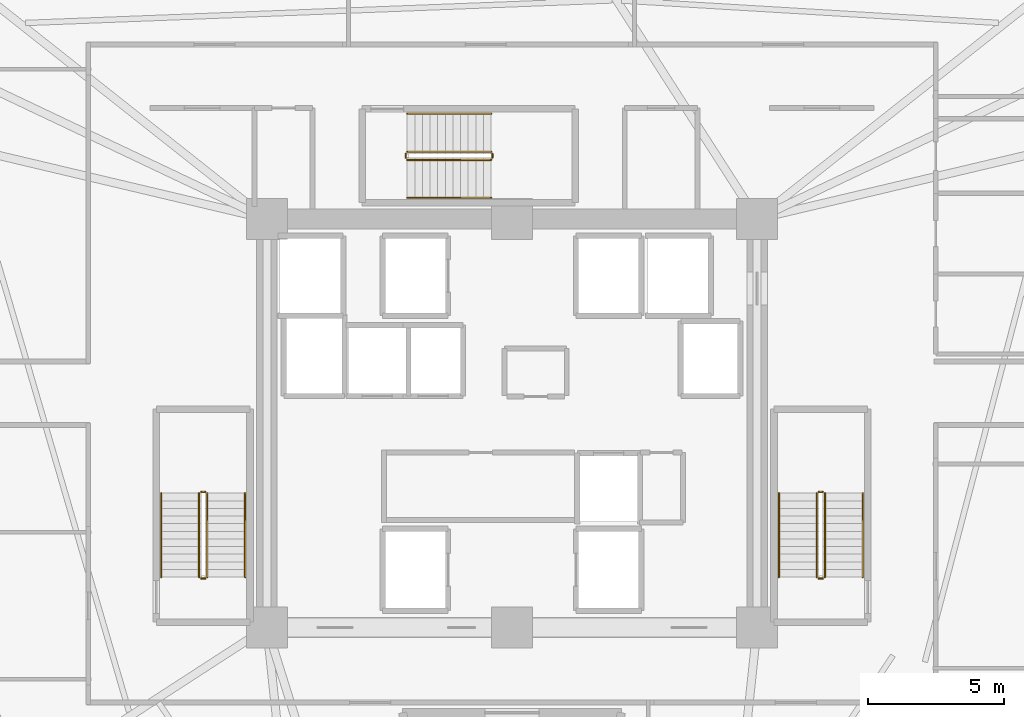
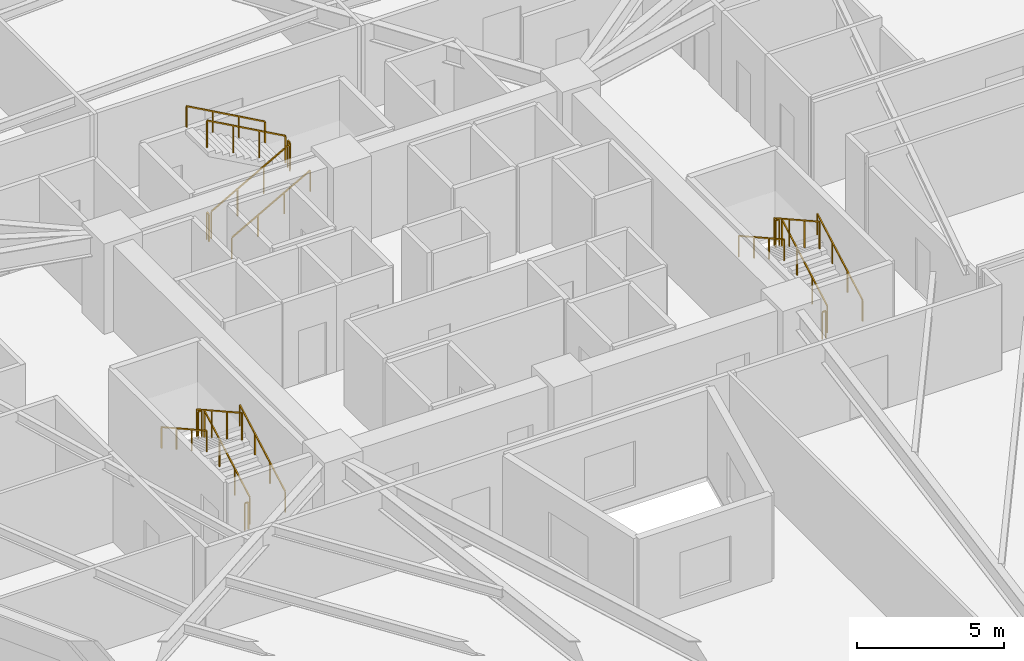
# One storey, part 8 of 8: 18 railings.
"""IFC4 building model written with IfcOpenShell, lengths in metres."""

from ifc_helpers import new_model, si_unit, direction, frame, origin, origin_2d, place, context, subcontext, project, spatial, rectangle, extrude, material, type_object, element, save


model = new_model("IFC4")

# Units and contexts
model_context = context("Model", 3, precision=1e-05, world=origin(), true_north=direction((0.0, 1.0)))
body_context = subcontext(model_context, "Body", "Model", "MODEL_VIEW")
ifc_project = project(units=[si_unit("LENGTHUNIT", "METRE"), si_unit("AREAUNIT", "SQUARE_METRE"), si_unit("VOLUMEUNIT", "CUBIC_METRE"), si_unit("PLANEANGLEUNIT", "RADIAN"), si_unit("MASSUNIT", "GRAM", prefix="KILO")], contexts=[model_context])

# Site, building, storey
site_placement = place(None, origin())
site = spatial("IfcSite", under=ifc_project, at=site_placement, CompositionType="ELEMENT")
building_placement = place(site_placement, origin())
building = spatial("IfcBuilding", under=site, at=building_placement, Name="Liaohun Quay Tower", CompositionType="ELEMENT")
storey_placement = place(building_placement, frame((0.0, 0.0, 147.75)))
storey = spatial("IfcBuildingStorey", under=building, at=storey_placement, Name="L38", CompositionType="ELEMENT", Elevation=147.75)

# Railings
ifc_material_1 = material(Name="Painted tubular steel", Category="steel")
railing_type_1 = type_object("IfcRailingType", Name="RLG-GUARD-STR", PredefinedType="GUARDRAIL", material=ifc_material_1)
railing_1_placement = place(storey_placement, frame((48.81005859375, 48.35009765625, 0.15625)))
element("IfcRailing", 1, at=railing_1_placement, inside=storey, type_object=railing_type_1, Name="L38 ST-1 stair guard 1", PredefinedType="GUARDRAIL", context=body_context, shape_type="SweptSolid", body=[
    extrude(rectangle(XDim=0.048095703125, YDim=0.048095703125, at=origin_2d()), frame((0.0, 0.0, 1.1259765625), z_axis=(0.0, 0.873225103656, 0.487317061414), x_axis=(-1.0, 0.0, 0.0)), (0.0, 0.0, 1.0), 3.52685546875),
    extrude(rectangle(XDim=0.0419921875, YDim=0.0419921875, at=origin_2d()), origin(), (0.0, 0.0, 1.0), 1.101806640625),
    extrude(rectangle(XDim=0.0419921875, YDim=0.0419921875, at=origin_2d()), frame((0.0, 1.026611328125, 0.572998046875)), (0.0, 0.0, 1.0), 1.101806640625),
    extrude(rectangle(XDim=0.0419921875, YDim=0.0419921875, at=origin_2d()), frame((0.0, 2.05322265625, 1.145751953125)), (0.0, 0.0, 1.0), 1.101806640625),
    extrude(rectangle(XDim=0.0419921875, YDim=0.0419921875, at=origin_2d()), frame((0.0, 3.079833984375, 1.71875)), (0.0, 0.0, 1.0), 1.101806640625),
])
railing_2_placement = place(storey_placement, frame((48.72998046875, 51.47998046875, 1.875)))
element("IfcRailing", 2, at=railing_2_placement, inside=storey, type_object=railing_type_1, Name="L38 ST-1 stair guard 2", PredefinedType="GUARDRAIL", context=body_context, shape_type="SweptSolid", body=[
    extrude(rectangle(XDim=0.048095703125, YDim=0.048095703125, at=origin_2d()), frame((0.0, 0.0, 1.1259765625), z_axis=(-1.0, 0.0, 0.0), x_axis=(0.0, -1.0, 0.0)), (0.0, 0.0, 1.0), 0.139892578125),
    extrude(rectangle(XDim=0.0419921875, YDim=0.0419921875, at=origin_2d()), origin(), (0.0, 0.0, 1.0), 1.101806640625),
    extrude(rectangle(XDim=0.0419921875, YDim=0.0419921875, at=origin_2d()), frame((-0.139892578125, 0.0, 0.0)), (0.0, 0.0, 1.0), 1.101806640625),
])
railing_3_placement = place(storey_placement, frame((48.510009765625, 51.429931640625, 2.03125)))
element("IfcRailing", 3, at=railing_3_placement, inside=storey, type_object=railing_type_1, Name="L38 ST-1 stair guard 3", PredefinedType="GUARDRAIL", context=body_context, shape_type="SweptSolid", body=[
    extrude(rectangle(XDim=0.048095703125, YDim=0.048095703125, at=origin_2d()), frame((0.0, 0.0, 1.1259765625), z_axis=(0.0, -0.873225103656, 0.487317061414), x_axis=(1.0, 0.0, 0.0)), (0.0, 0.0, 1.0), 3.52685546875),
    extrude(rectangle(XDim=0.0419921875, YDim=0.0419921875, at=origin_2d()), origin(), (0.0, 0.0, 1.0), 1.101806640625),
    extrude(rectangle(XDim=0.0419921875, YDim=0.0419921875, at=origin_2d()), frame((0.0, -1.026611328125, 0.572998046875)), (0.0, 0.0, 1.0), 1.101806640625),
    extrude(rectangle(XDim=0.0419921875, YDim=0.0419921875, at=origin_2d()), frame((0.0, -2.05322265625, 1.145751953125)), (0.0, 0.0, 1.0), 1.101806640625),
    extrude(rectangle(XDim=0.0419921875, YDim=0.0419921875, at=origin_2d()), frame((0.0, -3.079833984375, 1.71875)), (0.0, 0.0, 1.0), 1.101806640625),
])
railing_4_placement = place(storey_placement, frame((48.72998046875, 48.300048828125, 0.0)))
element("IfcRailing", 4, at=railing_4_placement, inside=storey, type_object=railing_type_1, Name="L38 ST-1 stair guard 4", PredefinedType="GUARDRAIL", context=body_context, shape_type="SweptSolid", body=[
    extrude(rectangle(XDim=0.048095703125, YDim=0.048095703125, at=origin_2d()), frame((0.0, 0.0, 1.1259765625), z_axis=(-1.0, 0.0, 0.0), x_axis=(0.0, -1.0, 0.0)), (0.0, 0.0, 1.0), 0.139892578125),
    extrude(rectangle(XDim=0.0419921875, YDim=0.0419921875, at=origin_2d()), origin(), (0.0, 0.0, 1.0), 1.101806640625),
    extrude(rectangle(XDim=0.0419921875, YDim=0.0419921875, at=origin_2d()), frame((-0.139892578125, 0.0, 0.0)), (0.0, 0.0, 1.0), 1.101806640625),
])
railing_5_placement = place(storey_placement, frame((71.489990234375, 48.35009765625, 0.15625)))
element("IfcRailing", 5, at=railing_5_placement, inside=storey, type_object=railing_type_1, Name="L38 ST-2 stair guard 1", PredefinedType="GUARDRAIL", context=body_context, shape_type="SweptSolid", body=[
    extrude(rectangle(XDim=0.048095703125, YDim=0.048095703125, at=origin_2d()), frame((0.0, 0.0, 1.1259765625), z_axis=(0.0, 0.873225103656, 0.487317061414), x_axis=(-1.0, 0.0, 0.0)), (0.0, 0.0, 1.0), 3.52685546875),
    extrude(rectangle(XDim=0.0419921875, YDim=0.0419921875, at=origin_2d()), origin(), (0.0, 0.0, 1.0), 1.101806640625),
    extrude(rectangle(XDim=0.0419921875, YDim=0.0419921875, at=origin_2d()), frame((0.0, 1.026611328125, 0.572998046875)), (0.0, 0.0, 1.0), 1.101806640625),
    extrude(rectangle(XDim=0.0419921875, YDim=0.0419921875, at=origin_2d()), frame((0.0, 2.05322265625, 1.145751953125)), (0.0, 0.0, 1.0), 1.101806640625),
    extrude(rectangle(XDim=0.0419921875, YDim=0.0419921875, at=origin_2d()), frame((0.0, 3.079833984375, 1.71875)), (0.0, 0.0, 1.0), 1.101806640625),
])
railing_6_placement = place(storey_placement, frame((71.409912109375, 51.47998046875, 1.875)))
element("IfcRailing", 6, at=railing_6_placement, inside=storey, type_object=railing_type_1, Name="L38 ST-2 stair guard 2", PredefinedType="GUARDRAIL", context=body_context, shape_type="SweptSolid", body=[
    extrude(rectangle(XDim=0.048095703125, YDim=0.048095703125, at=origin_2d()), frame((0.0, 0.0, 1.1259765625), z_axis=(-1.0, 0.0, 0.0), x_axis=(0.0, -1.0, 0.0)), (0.0, 0.0, 1.0), 0.139892578125),
    extrude(rectangle(XDim=0.0419921875, YDim=0.0419921875, at=origin_2d()), origin(), (0.0, 0.0, 1.0), 1.101806640625),
    extrude(rectangle(XDim=0.0419921875, YDim=0.0419921875, at=origin_2d()), frame((-0.139892578125, 0.0, 0.0)), (0.0, 0.0, 1.0), 1.101806640625),
])
railing_7_placement = place(storey_placement, frame((71.18994140625, 51.429931640625, 2.03125)))
element("IfcRailing", 7, at=railing_7_placement, inside=storey, type_object=railing_type_1, Name="L38 ST-2 stair guard 3", PredefinedType="GUARDRAIL", context=body_context, shape_type="SweptSolid", body=[
    extrude(rectangle(XDim=0.048095703125, YDim=0.048095703125, at=origin_2d()), frame((0.0, 0.0, 1.1259765625), z_axis=(0.0, -0.873225103656, 0.487317061414), x_axis=(1.0, 0.0, 0.0)), (0.0, 0.0, 1.0), 3.52685546875),
    extrude(rectangle(XDim=0.0419921875, YDim=0.0419921875, at=origin_2d()), origin(), (0.0, 0.0, 1.0), 1.101806640625),
    extrude(rectangle(XDim=0.0419921875, YDim=0.0419921875, at=origin_2d()), frame((0.0, -1.026611328125, 0.572998046875)), (0.0, 0.0, 1.0), 1.101806640625),
    extrude(rectangle(XDim=0.0419921875, YDim=0.0419921875, at=origin_2d()), frame((0.0, -2.05322265625, 1.145751953125)), (0.0, 0.0, 1.0), 1.101806640625),
    extrude(rectangle(XDim=0.0419921875, YDim=0.0419921875, at=origin_2d()), frame((0.0, -3.079833984375, 1.71875)), (0.0, 0.0, 1.0), 1.101806640625),
])
railing_8_placement = place(storey_placement, frame((71.409912109375, 48.300048828125, 0.0)))
element("IfcRailing", 8, at=railing_8_placement, inside=storey, type_object=railing_type_1, Name="L38 ST-2 stair guard 4", PredefinedType="GUARDRAIL", context=body_context, shape_type="SweptSolid", body=[
    extrude(rectangle(XDim=0.048095703125, YDim=0.048095703125, at=origin_2d()), frame((0.0, 0.0, 1.1259765625), z_axis=(-1.0, 0.0, 0.0), x_axis=(0.0, -1.0, 0.0)), (0.0, 0.0, 1.0), 0.139892578125),
    extrude(rectangle(XDim=0.0419921875, YDim=0.0419921875, at=origin_2d()), origin(), (0.0, 0.0, 1.0), 1.101806640625),
    extrude(rectangle(XDim=0.0419921875, YDim=0.0419921875, at=origin_2d()), frame((-0.139892578125, 0.0, 0.0)), (0.0, 0.0, 1.0), 1.101806640625),
])
railing_9_placement = place(storey_placement, frame((56.14990234375, 63.669921875, 0.15625)))
element("IfcRailing", 9, at=railing_9_placement, inside=storey, type_object=railing_type_1, Name="L38 ST-3 stair guard 1", PredefinedType="GUARDRAIL", context=body_context, shape_type="SweptSolid", body=[
    extrude(rectangle(XDim=0.048095703125, YDim=0.048095703125, at=origin_2d()), frame((0.0, 0.0, 1.1259765625), z_axis=(0.873241540666, 0.0, 0.487287606713), x_axis=(0.0, 1.0, 0.0)), (0.0, 0.0, 1.0), 3.527099609375),
    extrude(rectangle(XDim=0.0419921875, YDim=0.0419921875, at=origin_2d()), origin(), (0.0, 0.0, 1.0), 1.101806640625),
    extrude(rectangle(XDim=0.0419921875, YDim=0.0419921875, at=origin_2d()), frame((1.026611328125, 0.0, 0.572998046875)), (0.0, 0.0, 1.0), 1.101806640625),
    extrude(rectangle(XDim=0.0419921875, YDim=0.0419921875, at=origin_2d()), frame((2.053466796875, 0.0, 1.145751953125)), (0.0, 0.0, 1.0), 1.101806640625),
    extrude(rectangle(XDim=0.0419921875, YDim=0.0419921875, at=origin_2d()), frame((3.080078125, 0.0, 1.71875)), (0.0, 0.0, 1.0), 1.101806640625),
])
railing_10_placement = place(storey_placement, frame((59.280029296875, 63.75, 1.875)))
element("IfcRailing", 10, at=railing_10_placement, inside=storey, type_object=railing_type_1, Name="L38 ST-3 stair guard 2", PredefinedType="GUARDRAIL", context=body_context, shape_type="SweptSolid", body=[
    extrude(rectangle(XDim=0.048095703125, YDim=0.048095703125, at=origin_2d()), frame((0.0, 0.0, 1.1259765625), z_axis=(0.0, 1.0, 0.0), x_axis=(-1.0, 0.0, 0.0)), (0.0, 0.0, 1.0), 0.139892578125),
    extrude(rectangle(XDim=0.0419921875, YDim=0.0419921875, at=origin_2d()), origin(), (0.0, 0.0, 1.0), 1.101806640625),
    extrude(rectangle(XDim=0.0419921875, YDim=0.0419921875, at=origin_2d()), frame((0.0, 0.139892578125, 0.0)), (0.0, 0.0, 1.0), 1.101806640625),
])
railing_11_placement = place(storey_placement, frame((59.22998046875, 63.969970703125, 2.03125)))
element("IfcRailing", 11, at=railing_11_placement, inside=storey, type_object=railing_type_1, Name="L38 ST-3 stair guard 3", PredefinedType="GUARDRAIL", context=body_context, shape_type="SweptSolid", body=[
    extrude(rectangle(XDim=0.048095703125, YDim=0.048095703125, at=origin_2d()), frame((0.0, 0.0, 1.1259765625), z_axis=(-0.873241540666, 0.0, 0.487287606713), x_axis=(0.0, -1.0, 0.0)), (0.0, 0.0, 1.0), 3.527099609375),
    extrude(rectangle(XDim=0.0419921875, YDim=0.0419921875, at=origin_2d()), origin(), (0.0, 0.0, 1.0), 1.101806640625),
    extrude(rectangle(XDim=0.0419921875, YDim=0.0419921875, at=origin_2d()), frame((-1.026611328125, 0.0, 0.572998046875)), (0.0, 0.0, 1.0), 1.101806640625),
    extrude(rectangle(XDim=0.0419921875, YDim=0.0419921875, at=origin_2d()), frame((-2.053466796875, 0.0, 1.145751953125)), (0.0, 0.0, 1.0), 1.101806640625),
    extrude(rectangle(XDim=0.0419921875, YDim=0.0419921875, at=origin_2d()), frame((-3.080078125, 0.0, 1.71875)), (0.0, 0.0, 1.0), 1.101806640625),
])
railing_12_placement = place(storey_placement, frame((56.10009765625, 63.75, 0.0)))
element("IfcRailing", 12, at=railing_12_placement, inside=storey, type_object=railing_type_1, Name="L38 ST-3 stair guard 4", PredefinedType="GUARDRAIL", context=body_context, shape_type="SweptSolid", body=[
    extrude(rectangle(XDim=0.048095703125, YDim=0.048095703125, at=origin_2d()), frame((0.0, 0.0, 1.1259765625), z_axis=(0.0, 1.0, 0.0), x_axis=(-1.0, 0.0, 0.0)), (0.0, 0.0, 1.0), 0.139892578125),
    extrude(rectangle(XDim=0.0419921875, YDim=0.0419921875, at=origin_2d()), origin(), (0.0, 0.0, 1.0), 1.101806640625),
    extrude(rectangle(XDim=0.0419921875, YDim=0.0419921875, at=origin_2d()), frame((0.0, 0.139892578125, 0.0)), (0.0, 0.0, 1.0), 1.101806640625),
])
ifc_material_2 = material(Name="Brushed stainless steel", Category="steel")
railing_type_2 = type_object("IfcRailingType", Name="RLG-HND-STR", PredefinedType="HANDRAIL", material=ifc_material_2)
railing_13_placement = place(storey_placement, frame((50.199951171875, 48.35009765625, 0.15625)))
element("IfcRailing", 13, at=railing_13_placement, inside=storey, type_object=railing_type_2, Name="L38 ST-1 stair handrail 1", PredefinedType="HANDRAIL", context=body_context, shape_type="SweptSolid", body=[
    extrude(rectangle(XDim=0.048095703125, YDim=0.048095703125, at=origin_2d()), frame((0.0, 0.0, 0.8759765625), z_axis=(0.0, 0.873225103656, 0.487317061414), x_axis=(-1.0, 0.0, 0.0)), (0.0, 0.0, 1.0), 3.52685546875),
    extrude(rectangle(XDim=0.0419921875, YDim=0.0419921875, at=origin_2d()), origin(), (0.0, 0.0, 1.0), 0.851806640625),
    extrude(rectangle(XDim=0.0419921875, YDim=0.0419921875, at=origin_2d()), frame((0.0, 1.026611328125, 0.572998046875)), (0.0, 0.0, 1.0), 0.851806640625),
    extrude(rectangle(XDim=0.0419921875, YDim=0.0419921875, at=origin_2d()), frame((0.0, 2.05322265625, 1.145751953125)), (0.0, 0.0, 1.0), 0.851806640625),
    extrude(rectangle(XDim=0.0419921875, YDim=0.0419921875, at=origin_2d()), frame((0.0, 3.079833984375, 1.71875)), (0.0, 0.0, 1.0), 0.851806640625),
])
railing_14_placement = place(storey_placement, frame((47.1201171875, 51.429931640625, 2.03125)))
element("IfcRailing", 14, at=railing_14_placement, inside=storey, type_object=railing_type_2, Name="L38 ST-1 stair handrail 2", PredefinedType="HANDRAIL", context=body_context, shape_type="SweptSolid", body=[
    extrude(rectangle(XDim=0.048095703125, YDim=0.048095703125, at=origin_2d()), frame((0.0, 0.0, 0.8759765625), z_axis=(0.0, -0.873225103656, 0.487317061414), x_axis=(1.0, 0.0, 0.0)), (0.0, 0.0, 1.0), 3.52685546875),
    extrude(rectangle(XDim=0.0419921875, YDim=0.0419921875, at=origin_2d()), origin(), (0.0, 0.0, 1.0), 0.851806640625),
    extrude(rectangle(XDim=0.0419921875, YDim=0.0419921875, at=origin_2d()), frame((0.0, -1.026611328125, 0.572998046875)), (0.0, 0.0, 1.0), 0.851806640625),
    extrude(rectangle(XDim=0.0419921875, YDim=0.0419921875, at=origin_2d()), frame((0.0, -2.05322265625, 1.145751953125)), (0.0, 0.0, 1.0), 0.851806640625),
    extrude(rectangle(XDim=0.0419921875, YDim=0.0419921875, at=origin_2d()), frame((0.0, -3.079833984375, 1.71875)), (0.0, 0.0, 1.0), 0.851806640625),
])
railing_15_placement = place(storey_placement, frame((72.8798828125, 48.35009765625, 0.15625)))
element("IfcRailing", 15, at=railing_15_placement, inside=storey, type_object=railing_type_2, Name="L38 ST-2 stair handrail 1", PredefinedType="HANDRAIL", context=body_context, shape_type="SweptSolid", body=[
    extrude(rectangle(XDim=0.048095703125, YDim=0.048095703125, at=origin_2d()), frame((0.0, 0.0, 0.8759765625), z_axis=(0.0, 0.873225103656, 0.487317061414), x_axis=(-1.0, 0.0, 0.0)), (0.0, 0.0, 1.0), 3.52685546875),
    extrude(rectangle(XDim=0.0419921875, YDim=0.0419921875, at=origin_2d()), origin(), (0.0, 0.0, 1.0), 0.851806640625),
    extrude(rectangle(XDim=0.0419921875, YDim=0.0419921875, at=origin_2d()), frame((0.0, 1.026611328125, 0.572998046875)), (0.0, 0.0, 1.0), 0.851806640625),
    extrude(rectangle(XDim=0.0419921875, YDim=0.0419921875, at=origin_2d()), frame((0.0, 2.05322265625, 1.145751953125)), (0.0, 0.0, 1.0), 0.851806640625),
    extrude(rectangle(XDim=0.0419921875, YDim=0.0419921875, at=origin_2d()), frame((0.0, 3.079833984375, 1.71875)), (0.0, 0.0, 1.0), 0.851806640625),
])
railing_16_placement = place(storey_placement, frame((69.800048828125, 51.429931640625, 2.03125)))
element("IfcRailing", 16, at=railing_16_placement, inside=storey, type_object=railing_type_2, Name="L38 ST-2 stair handrail 2", PredefinedType="HANDRAIL", context=body_context, shape_type="SweptSolid", body=[
    extrude(rectangle(XDim=0.048095703125, YDim=0.048095703125, at=origin_2d()), frame((0.0, 0.0, 0.8759765625), z_axis=(0.0, -0.873225103656, 0.487317061414), x_axis=(1.0, 0.0, 0.0)), (0.0, 0.0, 1.0), 3.52685546875),
    extrude(rectangle(XDim=0.0419921875, YDim=0.0419921875, at=origin_2d()), origin(), (0.0, 0.0, 1.0), 0.851806640625),
    extrude(rectangle(XDim=0.0419921875, YDim=0.0419921875, at=origin_2d()), frame((0.0, -1.026611328125, 0.572998046875)), (0.0, 0.0, 1.0), 0.851806640625),
    extrude(rectangle(XDim=0.0419921875, YDim=0.0419921875, at=origin_2d()), frame((0.0, -2.05322265625, 1.145751953125)), (0.0, 0.0, 1.0), 0.851806640625),
    extrude(rectangle(XDim=0.0419921875, YDim=0.0419921875, at=origin_2d()), frame((0.0, -3.079833984375, 1.71875)), (0.0, 0.0, 1.0), 0.851806640625),
])
railing_17_placement = place(storey_placement, frame((56.14990234375, 62.280029296875, 0.15625)))
element("IfcRailing", 17, at=railing_17_placement, inside=storey, type_object=railing_type_2, Name="L38 ST-3 stair handrail 1", PredefinedType="HANDRAIL", context=body_context, shape_type="SweptSolid", body=[
    extrude(rectangle(XDim=0.048095703125, YDim=0.048095703125, at=origin_2d()), frame((0.0, 0.0, 0.8759765625), z_axis=(0.873241540666, 0.0, 0.487287606713), x_axis=(0.0, 1.0, 0.0)), (0.0, 0.0, 1.0), 3.527099609375),
    extrude(rectangle(XDim=0.0419921875, YDim=0.0419921875, at=origin_2d()), origin(), (0.0, 0.0, 1.0), 0.851806640625),
    extrude(rectangle(XDim=0.0419921875, YDim=0.0419921875, at=origin_2d()), frame((1.026611328125, 0.0, 0.572998046875)), (0.0, 0.0, 1.0), 0.851806640625),
    extrude(rectangle(XDim=0.0419921875, YDim=0.0419921875, at=origin_2d()), frame((2.053466796875, 0.0, 1.145751953125)), (0.0, 0.0, 1.0), 0.851806640625),
    extrude(rectangle(XDim=0.0419921875, YDim=0.0419921875, at=origin_2d()), frame((3.080078125, 0.0, 1.71875)), (0.0, 0.0, 1.0), 0.851806640625),
])
railing_18_placement = place(storey_placement, frame((59.22998046875, 65.360107421875, 2.03125)))
element("IfcRailing", 18, at=railing_18_placement, inside=storey, type_object=railing_type_2, Name="L38 ST-3 stair handrail 2", PredefinedType="HANDRAIL", context=body_context, shape_type="SweptSolid", body=[
    extrude(rectangle(XDim=0.048095703125, YDim=0.048095703125, at=origin_2d()), frame((0.0, 0.0, 0.8759765625), z_axis=(-0.873241540666, 0.0, 0.487287606713), x_axis=(0.0, -1.0, 0.0)), (0.0, 0.0, 1.0), 3.527099609375),
    extrude(rectangle(XDim=0.0419921875, YDim=0.0419921875, at=origin_2d()), origin(), (0.0, 0.0, 1.0), 0.851806640625),
    extrude(rectangle(XDim=0.0419921875, YDim=0.0419921875, at=origin_2d()), frame((-1.026611328125, 0.0, 0.572998046875)), (0.0, 0.0, 1.0), 0.851806640625),
    extrude(rectangle(XDim=0.0419921875, YDim=0.0419921875, at=origin_2d()), frame((-2.053466796875, 0.0, 1.145751953125)), (0.0, 0.0, 1.0), 0.851806640625),
    extrude(rectangle(XDim=0.0419921875, YDim=0.0419921875, at=origin_2d()), frame((-3.080078125, 0.0, 1.71875)), (0.0, 0.0, 1.0), 0.851806640625),
])

save(model, "model.ifc")
